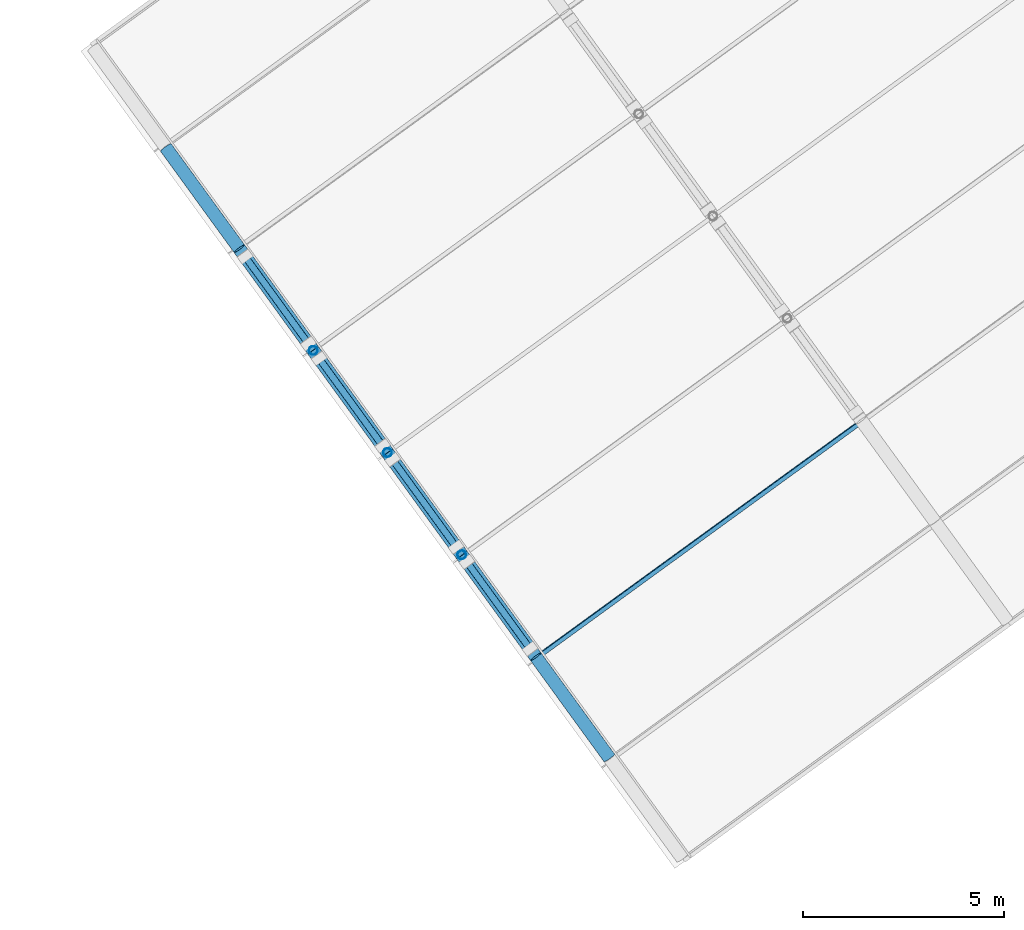
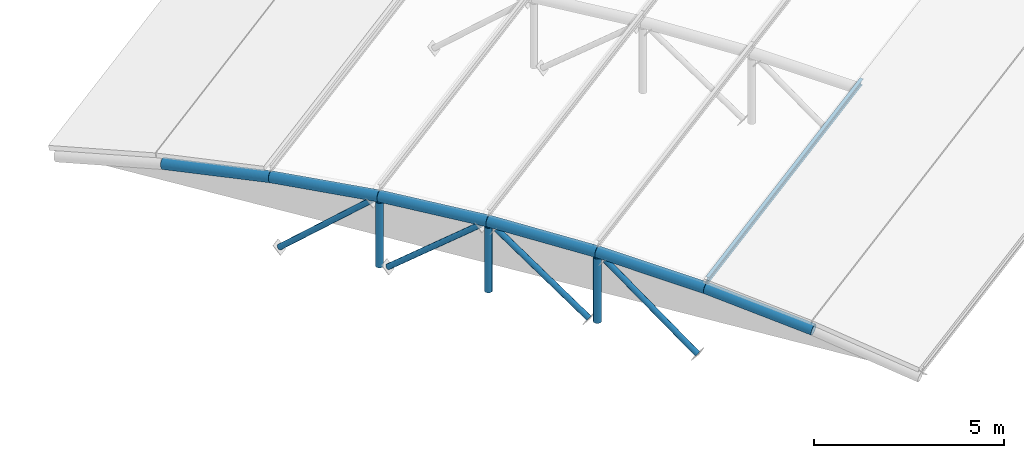
# One storey, part 11 of 41: 13 members, 1 beam.
"""IFC4 building model written with IfcOpenShell, lengths in metres."""

from ifc_helpers import new_model, si_unit, direction, frame, origin, origin_2d, place, context, subcontext, project, spatial, hollow_circle, i_section, extrude, material, material_profile, profile_set, type_object, element, save


model = new_model("IFC4")

# Units and contexts
model_context = context("Model", 3, precision=1e-05, world=origin(), true_north=direction((0.0, 1.0)))
body_context = subcontext(model_context, "Body", "Model", "MODEL_VIEW")
ifc_project = project(units=[si_unit("LENGTHUNIT", "METRE"), si_unit("AREAUNIT", "SQUARE_METRE"), si_unit("VOLUMEUNIT", "CUBIC_METRE"), si_unit("PLANEANGLEUNIT", "RADIAN"), si_unit("MASSUNIT", "GRAM", prefix="KILO")], contexts=[model_context])

# Site, building, storey
site_placement = place(None, origin())
site = spatial("IfcSite", under=ifc_project, at=site_placement, CompositionType="ELEMENT")
building_placement = place(site_placement, origin())
building = spatial("IfcBuilding", under=site, at=building_placement, Name="Okhra Congress Centre", CompositionType="ELEMENT")
storey_placement = place(building_placement, frame((0.0, 0.0, 21.60009765625)))
storey = spatial("IfcBuildingStorey", under=building, at=storey_placement, Name="ROOF", CompositionType="ELEMENT", Elevation=21.60009765625)

# Members
ifc_material_1 = material(Name="Steel S355J2H", Category="steel")
ifc_material_profile_1 = material_profile(ifc_material_1, hollow_circle(Radius=0.084228515625, WallThickness=0.00634765625, at=origin_2d()), Name="CHS 168.3x6.3")
ifc_profile_set_1 = profile_set([ifc_material_profile_1], Name="Steel S355J2H")
member_type_1 = type_object("IfcMemberType", Name="CHS 168.3x6.3", PredefinedType="BRACE", material=ifc_profile_set_1)
member_1_placement = place(storey_placement, frame((217.480712890625, 173.079345703125, -1.07080078125), z_axis=(-0.44685165687, 0.615058439697, 0.649635830685), x_axis=(-0.809026036893, -0.587772806133, 0.0)))
element("IfcMember", 1, at=member_1_placement, inside=storey, type_object=member_type_1, Name="Truss 1 diagonal 8", PredefinedType="BRACE", context=body_context, shape_type="SweptSolid", body=[
    extrude(hollow_circle(Radius=0.084228515625, WallThickness=0.00634765625, at=origin_2d()), origin(), (0.0, 0.0, 1.0), 3.4951171875),
])
for number, where, z_axis, x_axis, name in (
    (2, (215.641845703125, 175.610595703125, -0.812255859375), (-0.460505203277, 0.633696450338, 0.621581665258), (-0.808957632025, -0.587866948883, 0.0), "Truss 1 diagonal 9"),
    (3, (212.23876953125, 180.294189453125, -0.812255859375), (0.460427799508, -0.633760263966, 0.621573945125), (0.809032767915, 0.587763541264, 0.0), "Truss 1 diagonal 10"),
):
    element("IfcMember", number, at=place(storey_placement, frame(where, z_axis=z_axis, x_axis=x_axis)), inside=storey, type_object=member_type_1, Name=name, PredefinedType="BRACE", context=body_context, shape_type="SweptSolid", body=[
        extrude(hollow_circle(Radius=0.084228515625, WallThickness=0.00634765625, at=origin_2d()), origin(), (0.0, 0.0, 1.0), 3.40576171875),
    ])
member_2_placement = place(storey_placement, frame((210.39990234375, 182.825439453125, -1.07080078125), z_axis=(0.44685165687, -0.615058439697, 0.649635830685), x_axis=(0.809026036893, 0.587772806133, 0.0)))
element("IfcMember", 4, at=member_2_placement, inside=storey, type_object=member_type_1, Name="Truss 1 diagonal 11", PredefinedType="BRACE", context=body_context, shape_type="SweptSolid", body=[
    extrude(hollow_circle(Radius=0.084228515625, WallThickness=0.00634765625, at=origin_2d()), origin(), (0.0, 0.0, 1.0), 3.4951171875),
])
ifc_material_profile_2 = material_profile(ifc_material_1, hollow_circle(Radius=0.109619140625, WallThickness=0.008056640625, at=origin_2d()), Name="CHS 219.1x8")
ifc_profile_set_2 = profile_set([ifc_material_profile_2], Name="Steel S355J2H")
member_type_2 = type_object("IfcMemberType", Name="CHS 219.1x8", PredefinedType="POST", material=ifc_profile_set_2)
member_3_placement = place(storey_placement, frame((215.785888671875, 175.412109375, -0.842529296875), z_axis=(0.0, 0.0, 1.0), x_axis=(1.0, 0.0, 0.0)))
element("IfcMember", 5, at=member_3_placement, inside=storey, type_object=member_type_2, Name="Truss 1 post 8", PredefinedType="POST", context=body_context, shape_type="SweptSolid", body=[
    extrude(hollow_circle(Radius=0.109619140625, WallThickness=0.008056640625, at=origin_2d()), origin(), (0.0, 0.0, 1.0), 2.071533203125),
])
member_4_placement = place(storey_placement, frame((213.940185546875, 177.952392578125, -0.75146484375), z_axis=(0.0, 0.0, 1.0), x_axis=(1.0, 0.0, 0.0)))
element("IfcMember", 6, at=member_4_placement, inside=storey, type_object=member_type_2, Name="Truss 1 post 9", PredefinedType="POST", context=body_context, shape_type="SweptSolid", body=[
    extrude(hollow_circle(Radius=0.109619140625, WallThickness=0.008056640625, at=origin_2d()), origin(), (0.0, 0.0, 1.0), 2.072021484375),
])
member_5_placement = place(storey_placement, frame((212.0947265625, 180.492431640625, -0.842529296875), z_axis=(0.0, 0.0, 1.0), x_axis=(1.0, 0.0, 0.0)))
element("IfcMember", 7, at=member_5_placement, inside=storey, type_object=member_type_2, Name="Truss 1 post 10", PredefinedType="POST", context=body_context, shape_type="SweptSolid", body=[
    extrude(hollow_circle(Radius=0.109619140625, WallThickness=0.008056640625, at=origin_2d()), origin(), (0.0, 0.0, 1.0), 2.071533203125),
])
ifc_material_profile_3 = material_profile(ifc_material_1, hollow_circle(Radius=0.161865234375, WallThickness=0.012451171875, at=origin_2d()), Name="CHS 323.9x12.5")
ifc_profile_set_3 = profile_set([ifc_material_profile_3], Name="Steel S355J2H")
member_type_3 = type_object("IfcMemberType", Name="CHS 323.9x12.5", PredefinedType="CHORD", material=ifc_profile_set_3)
for number, where, z_axis, x_axis, name in (
    (8, (219.451904296875, 170.3662109375, 0.6640625), (-0.581543271945, 0.800496412425, 0.144958326942), (-0.809041704036, -0.587751240858, 0.0), "Truss 1 top chord 7"),
    (9, (217.625244140625, 172.880615234375, 1.119384765625), (-0.585574378555, 0.805922581794, 0.087128866254), (-0.808999165888, -0.587809790317, 0.0), "Truss 1 top chord 8"),
):
    element("IfcMember", number, at=place(storey_placement, frame(where, z_axis=z_axis, x_axis=x_axis)), inside=storey, type_object=member_type_3, Name=name, PredefinedType="CHORD", context=body_context, shape_type="SweptSolid", body=[
        extrude(hollow_circle(Radius=0.161865234375, WallThickness=0.012451171875, at=origin_2d()), origin(), (0.0, 0.0, 1.0), 3.14111328125),
    ])
member_6_placement = place(storey_placement, frame((215.785888671875, 175.412109375, 1.39306640625), z_axis=(-0.587552098776, 0.808661321133, 0.029144449344), x_axis=(-0.809004978104, -0.587801790915, 0.0)))
element("IfcMember", 10, at=member_6_placement, inside=storey, type_object=member_type_3, Name="Truss 1 top chord 9", PredefinedType="CHORD", context=body_context, shape_type="SweptSolid", body=[
    extrude(hollow_circle(Radius=0.161865234375, WallThickness=0.012451171875, at=origin_2d()), origin(), (0.0, 0.0, 1.0), 3.141357421875),
])
member_7_placement = place(storey_placement, frame((213.940185546875, 177.952392578125, 1.484619140625), z_axis=(-0.587538134891, 0.808671352746, -0.029147612195), x_axis=(-0.809015088623, -0.587787875327, 0.0)))
element("IfcMember", 11, at=member_7_placement, inside=storey, type_object=member_type_3, Name="Truss 1 top chord 10", PredefinedType="CHORD", context=body_context, shape_type="SweptSolid", body=[
    extrude(hollow_circle(Radius=0.161865234375, WallThickness=0.012451171875, at=origin_2d()), origin(), (0.0, 0.0, 1.0), 3.14111328125),
])
member_8_placement = place(storey_placement, frame((212.0947265625, 180.492431640625, 1.39306640625), z_axis=(-0.58553770002, 0.805949820707, -0.087123408777), x_axis=(-0.809026121159, -0.587772690146, 0.0)))
element("IfcMember", 12, at=member_8_placement, inside=storey, type_object=member_type_3, Name="Truss 1 top chord 11", PredefinedType="CHORD", context=body_context, shape_type="SweptSolid", body=[
    extrude(hollow_circle(Radius=0.161865234375, WallThickness=0.012451171875, at=origin_2d()), origin(), (0.0, 0.0, 1.0), 3.141357421875),
])
member_9_placement = place(storey_placement, frame((210.25537109375, 183.024169921875, 1.119384765625), z_axis=(-0.581543271945, 0.800496412425, -0.144958326942), x_axis=(-0.809041704036, -0.587751240858, 0.0)))
element("IfcMember", 13, at=member_9_placement, inside=storey, type_object=member_type_3, Name="Truss 1 top chord 12", PredefinedType="CHORD", context=body_context, shape_type="SweptSolid", body=[
    extrude(hollow_circle(Radius=0.161865234375, WallThickness=0.012451171875, at=origin_2d()), origin(), (0.0, 0.0, 1.0), 3.14111328125),
])

# Beam
ifc_material_2 = material(Name="Steel S355J2", Category="steel")
ifc_material_profile_4 = material_profile(ifc_material_2, i_section(OverallWidth=0.10009765625, OverallDepth=0.199951171875, WebThickness=0.005615234375, FlangeThickness=0.008544921875, FilletRadius=0.011962890625, at=origin_2d()), Name="IPE 200")
ifc_profile_set_4 = profile_set([ifc_material_profile_4], Name="Steel S355J2")
beam_type = type_object("IfcBeamType", Name="IPE 200", PredefinedType="BEAM", material=ifc_profile_set_4)
beam_placement = place(storey_placement, frame((217.642822265625, 172.856201171875, 1.376708984375), z_axis=(0.809010490052, 0.58779420462, 0.0), x_axis=(-0.583819750487, 0.803540250535, 0.116092914131)))
element("IfcBeam", 14, at=beam_placement, inside=storey, type_object=beam_type, Name="Purlin 8.43", PredefinedType="BEAM", context=body_context, shape_type="SweptSolid", body=[
    extrude(i_section(OverallWidth=0.10009765625, OverallDepth=0.199951171875, WebThickness=0.005615234375, FlangeThickness=0.008544921875, FilletRadius=0.011962890625, at=origin_2d()), origin(), (0.0, 0.0, 1.0), 10.0),
])

save(model, "model.ifc")
